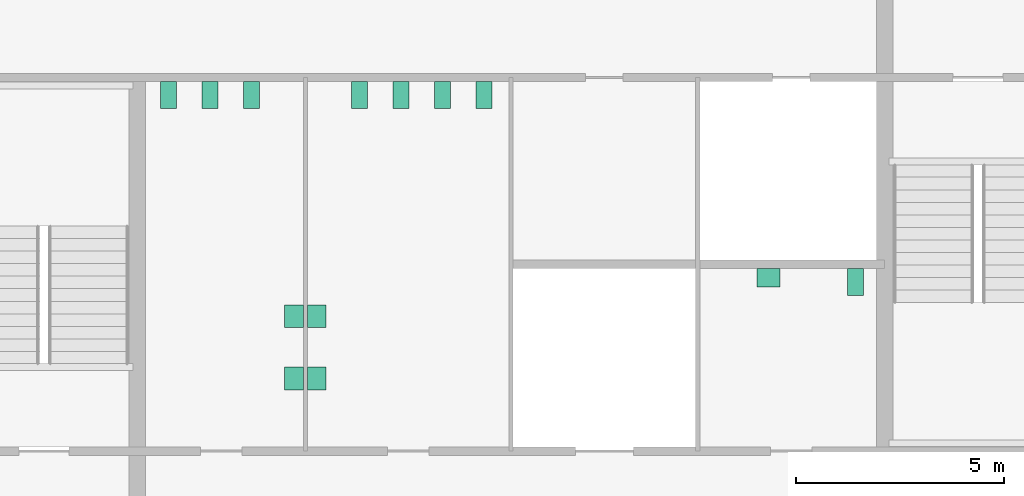
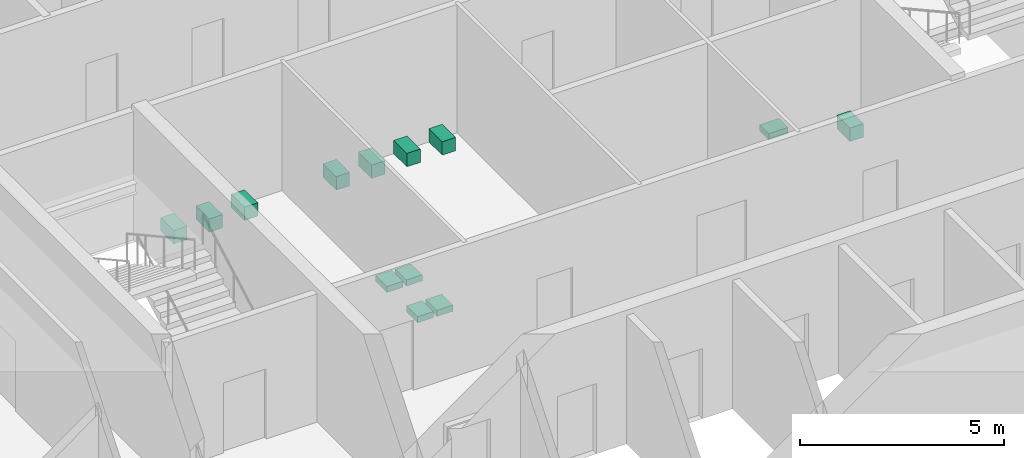
# One storey, part 13 of 13: 13 sanitary terminals.
"""IFC4 building model written with IfcOpenShell, lengths in metres."""

import ifcopenshell
import ifcopenshell.guid

model = None  # the IFC model being written
_history = None  # IfcOwnerHistory: only IFC2X3 demands one
_inside = {}  # id of a spatial element -> (the spatial element, [elements in it])
_under = {}  # id of a project, library or spatial element -> (it, [spatial elements below it])
_declared = {}  # id of a project -> (the project, [libraries it declares])
_typed = {}  # id of a type object -> (the type object, [elements of that type])
_made_of = {}  # id of a material, layer set ... -> (it, [elements and type objects made of it])


def new_model(schema):
    """Start an empty IFC model of exactly this schema.

    Asked for "IFC4X3", IfcOpenShell would pick the latest addendum, in which some entities
    have other attributes; the version numbers below select the first issue.
    IFC2X3 requires an IfcOwnerHistory on every rooted entity: one is made here for all.
    """
    global model, _history
    if schema == "IFC4X3":
        model = ifcopenshell.file(schema_version=(4, 3, 0, 0))
    else:
        model = ifcopenshell.file(schema=schema)
    _inside.clear()
    _under.clear()
    _declared.clear()
    _typed.clear()
    _made_of.clear()
    _history = None
    if model.schema == "IFC2X3":
        org = make("IfcOrganization", Name="unknown")
        user = make(
            "IfcPersonAndOrganization",
            ThePerson=make("IfcPerson", FamilyName="unknown"),
            TheOrganization=org,
        )
        app = make(
            "IfcApplication",
            ApplicationDeveloper=org,
            Version="unknown",
            ApplicationFullName="unknown",
            ApplicationIdentifier="unknown",
        )
        _history = make(
            "IfcOwnerHistory",
            OwningUser=user,
            OwningApplication=app,
            ChangeAction="ADDED",
            CreationDate=0,
        )
    return model


def make(cls, **values):
    """One entity of the class cls with the attributes given. An attribute that is None is left unset."""
    return model.create_entity(
        cls, **{name: value for name, value in values.items() if value is not None}
    )


def rooted(cls, **values):
    """An entity with a GlobalId (a new one), such as an element, a storey or a relation."""
    return make(cls, GlobalId=ifcopenshell.guid.new(), OwnerHistory=_history, **values)


def si_unit(unit_type, name, prefix=None):
    """IfcSIUnit, for example si_unit("LENGTHUNIT", "METRE", prefix="MILLI")."""
    return make("IfcSIUnit", UnitType=unit_type, Prefix=prefix, Name=name)


def assignment(units):
    """IfcUnitAssignment: the units of a project."""
    return None if units is None else make("IfcUnitAssignment", Units=units)


def point(xyz):
    """IfcCartesianPoint."""
    return None if xyz is None else make("IfcCartesianPoint", Coordinates=xyz)


def direction(xyz):
    """IfcDirection."""
    return None if xyz is None else make("IfcDirection", DirectionRatios=xyz)


def frame(location, z_axis=None, x_axis=None):
    """IfcAxis2Placement3D, a coordinate frame: its origin and axes. An axis left out is left unset."""
    return make(
        "IfcAxis2Placement3D",
        Location=point(location),
        Axis=direction(z_axis),
        RefDirection=direction(x_axis),
    )


def frame_2d(location, x_axis=None):
    """IfcAxis2Placement2D, a coordinate frame in the plane: its origin and x axis."""
    return make(
        "IfcAxis2Placement2D", Location=point(location), RefDirection=direction(x_axis)
    )


def origin():
    """The frame at (0, 0, 0) with its axes left unset."""
    return frame((0.0, 0.0, 0.0))


def origin_2d():
    """The frame at (0, 0) in the plane with its x axis left unset."""
    return frame_2d((0.0, 0.0))


def place(relative_to, where):
    """IfcLocalPlacement: puts the frame where relative to a parent placement (None: the world)."""
    return make(
        "IfcLocalPlacement", PlacementRelTo=relative_to, RelativePlacement=where
    )


def context(
    kind, dimensions, precision=None, world=None, true_north=None, identifier=None
):
    """IfcGeometricRepresentationContext, for example the 3D "Model" context."""
    return make(
        "IfcGeometricRepresentationContext",
        ContextIdentifier=identifier,
        ContextType=kind,
        CoordinateSpaceDimension=dimensions,
        Precision=precision,
        WorldCoordinateSystem=world,
        TrueNorth=true_north,
    )


def subcontext(parent, identifier, kind, view, scale=None):
    """IfcGeometricRepresentationSubContext, for example "Body" below "Model"."""
    return make(
        "IfcGeometricRepresentationSubContext",
        ContextIdentifier=identifier,
        ContextType=kind,
        ParentContext=parent,
        TargetScale=scale,
        TargetView=view,
    )


def project(units=None, contexts=None):
    """IfcProject with its units and contexts."""
    return rooted(
        "IfcProject",
        Name="project",
        RepresentationContexts=contexts,
        UnitsInContext=assignment(units),
    )


def spatial(cls, under=None, at=None, **own):
    """A site, building, storey or space (cls), placed at a placement, below another one or the project."""
    s = rooted(cls, ObjectPlacement=at, **own)
    if under is not None:
        _under.setdefault(under.id(), (under, []))[1].append(s)
    return s


def profile(cls, at=None, kind="AREA", **sizes):
    """A parametric profile (cls). Its sizes go by their IFC names, for example OverallWidth=200.0."""
    return make(cls, ProfileType=kind, Position=at, **sizes)


def rectangle(**sizes):
    """IfcRectangleProfileDef."""
    return profile("IfcRectangleProfileDef", **sizes)


def extrude(swept, where, along, depth):
    """IfcExtrudedAreaSolid: the profile swept, set in the frame where, extruded along a direction by depth."""
    return make(
        "IfcExtrudedAreaSolid",
        SweptArea=swept,
        Position=where,
        ExtrudedDirection=direction(along),
        Depth=depth,
    )


def shape(context_of_items, identifier, shape_type, items):
    """IfcShapeRepresentation: the items that make up one representation, for example the "Body"."""
    return make(
        "IfcShapeRepresentation",
        ContextOfItems=context_of_items,
        RepresentationIdentifier=identifier,
        RepresentationType=shape_type,
        Items=items,
    )


def material(Name=None, Category=None):
    """IfcMaterial."""
    return make("IfcMaterial", Name=Name, Category=Category)


def made_of(thing, what):
    """Note that an element or type object is made of a material, layer set ...; save() writes the relation."""
    if what is not None:
        _made_of.setdefault(what.id(), (what, []))[1].append(thing)
    return thing


def type_object(cls, material=None, **own):
    """A type object (cls), such as IfcWallType, which elements share."""
    return made_of(rooted(cls, **own), material)


def element(
    cls,
    number,
    at=None,
    inside=None,
    cuts=None,
    type_object=None,
    material=None,
    context=None,
    identifier="Body",
    shape_type=None,
    held_by="IfcProductDefinitionShape",
    body=None,
    shapes=None,
    **own,
):
    """One element of the class cls, such as IfcWall. Its Tag is "e" and its number.

    at: its placement. inside: the storey or other place that contains it. cuts: it is an
    opening in that element (IfcRelVoidsElement). A single representation is given by context,
    identifier, shape_type and body (its items); several are given by shapes. held_by: the class
    of the entity that holds the representations. save() writes the other relations.
    """
    e = rooted(cls, Tag="e%d" % number, ObjectPlacement=at, **own)
    if body is not None:
        shapes = [shape(context, identifier, shape_type, body)]
    if shapes is not None:
        e.Representation = make(held_by, Representations=shapes)
    if inside is not None:
        _inside.setdefault(inside.id(), (inside, []))[1].append(e)
    if cuts is not None:
        rooted(
            "IfcRelVoidsElement", RelatingBuildingElement=cuts, RelatedOpeningElement=e
        )
    if type_object is not None:
        _typed.setdefault(type_object.id(), (type_object, []))[1].append(e)
    return made_of(e, material)


def aggregate(whole, parts):
    """IfcRelAggregates: a whole, such as a stair, and the parts it consists of."""
    return rooted("IfcRelAggregates", RelatingObject=whole, RelatedObjects=parts)


def save(model, path):
    """Write the relations noted so far, then the file.

    IfcRelAggregates (storeys below a building ...), IfcRelContainedInSpatialStructure (elements
    in a storey), IfcRelDefinesByType, IfcRelAssociatesMaterial and IfcRelDeclares: one each for
    every whole, place, type object, material and project.
    """
    for whole, parts in _under.values():
        aggregate(whole, parts)
    for where, things in _inside.values():
        rooted(
            "IfcRelContainedInSpatialStructure",
            RelatedElements=things,
            RelatingStructure=where,
        )
    for kind, things in _typed.values():
        rooted("IfcRelDefinesByType", RelatedObjects=things, RelatingType=kind)
    for what, things in _made_of.values():
        rooted("IfcRelAssociatesMaterial", RelatedObjects=things, RelatingMaterial=what)
    for by, libraries in _declared.values():
        rooted("IfcRelDeclares", RelatingContext=by, RelatedDefinitions=libraries)
    model.write(path)


model = new_model("IFC4")

# Units and contexts
model_context = context("Model", 3, precision=1e-05, world=origin(), true_north=direction((0.0, 1.0)))
body_context = subcontext(model_context, "Body", "Model", "MODEL_VIEW")
ifc_project = project(units=[si_unit("LENGTHUNIT", "METRE"), si_unit("AREAUNIT", "SQUARE_METRE"), si_unit("VOLUMEUNIT", "CUBIC_METRE"), si_unit("PLANEANGLEUNIT", "RADIAN"), si_unit("MASSUNIT", "GRAM", prefix="KILO")], contexts=[model_context])

# Site, building, storey
site_placement = place(None, origin())
site = spatial("IfcSite", under=ifc_project, at=site_placement, CompositionType="ELEMENT")
building_placement = place(site_placement, origin())
building = spatial("IfcBuilding", under=site, at=building_placement, Name="Corais Broadcast Tower", CompositionType="ELEMENT")
storey_placement = place(building_placement, frame((0.0, 0.0, 210.60009765625)))
storey = spatial("IfcBuildingStorey", under=building, at=storey_placement, Name="L48", CompositionType="ELEMENT", Elevation=210.60009765625)

# Sanitary terminals
ifc_material_1 = material(Name="Vitreous china", Category="ceramic")
sanitary_terminal_type_1 = type_object("IfcSanitaryTerminalType", Name="WC pan 380x650", PredefinedType="TOILETPAN", material=ifc_material_1)
for number, where, z_axis, x_axis, name in (
    (1, (18.75, 31.074951171875, 0.0), (0.0, 0.0, 1.0), (1.0, 0.0, 0.0), "SW1 WC pan, male toilets L48"),
    (2, (19.75, 31.074951171875, 0.0), (0.0, 0.0, 1.0), (1.0, 0.0, 0.0), "SW1 WC pan, male toilets L48"),
    (3, (20.75, 31.074951171875, 0.0), (0.0, 0.0, 1.0), (1.0, 0.0, 0.0), "SW1 WC pan, male toilets L48"),
    (4, (23.35009765625, 31.074951171875, 0.0), (0.0, 0.0, 1.0), (1.0, 0.0, 0.0), "SW1 WC pan, female toilets L48"),
    (5, (24.35009765625, 31.074951171875, 0.0), (0.0, 0.0, 1.0), (1.0, 0.0, 0.0), "SW1 WC pan, female toilets L48"),
    (6, (25.35009765625, 31.074951171875, 0.0), (0.0, 0.0, 1.0), (1.0, 0.0, 0.0), "SW1 WC pan, female toilets L48"),
    (7, (26.35009765625, 31.074951171875, 0.0), (0.0, 0.0, 1.0), (1.0, 0.0, 0.0), "SW1 WC pan, female toilets L48"),
    (8, (35.300048828125, 26.574951171875, 0.0), (0.0, 0.0, 1.0), (1.0, 0.0, 0.0), "SW1 WC pan, accessible WC L48"),
):
    element("IfcSanitaryTerminal", number, at=place(storey_placement, frame(where, z_axis=z_axis, x_axis=x_axis)), inside=storey, type_object=sanitary_terminal_type_1, Name=name, PredefinedType="TOILETPAN", context=body_context, shape_type="SweptSolid", body=[
        extrude(rectangle(XDim=0.3798828125, YDim=0.64990234375, at=origin_2d()), origin(), (0.0, 0.0, 1.0), 0.39990234375),
    ])
ifc_material_2 = material(Name="Vitreous china", Category="ceramic")
sanitary_terminal_type_2 = type_object("IfcSanitaryTerminalType", Name="Wash basin 550x450", PredefinedType="WASHHANDBASIN", material=ifc_material_2)
for number, where, z_axis, x_axis, name in (
    (9, (21.77490234375, 24.25, 0.69970703125), (0.0, 0.0, 1.0), (1.0, 0.0, 0.0), "WB1 wash basin, male toilets L48"),
    (10, (21.77490234375, 25.75, 0.69970703125), (0.0, 0.0, 1.0), (1.0, 0.0, 0.0), "WB1 wash basin, male toilets L48"),
    (11, (22.324951171875, 24.25, 0.69970703125), (0.0, 0.0, 1.0), (1.0, 0.0, 0.0), "WB1 wash basin, female toilets L48"),
    (12, (22.324951171875, 25.75, 0.69970703125), (0.0, 0.0, 1.0), (1.0, 0.0, 0.0), "WB1 wash basin, female toilets L48"),
):
    element("IfcSanitaryTerminal", number, at=place(storey_placement, frame(where, z_axis=z_axis, x_axis=x_axis)), inside=storey, type_object=sanitary_terminal_type_2, Name=name, PredefinedType="WASHHANDBASIN", context=body_context, shape_type="SweptSolid", body=[
        extrude(rectangle(XDim=0.449951171875, YDim=0.550048828125, at=origin_2d()), origin(), (0.0, 0.0, 1.0), 0.179931640625),
    ])
sanitary_terminal_placement = place(storey_placement, frame((33.199951171875, 26.675048828125, 0.69970703125), z_axis=(0.0, 0.0, 1.0), x_axis=(1.0, 0.0, 0.0)))
element("IfcSanitaryTerminal", 13, at=sanitary_terminal_placement, inside=storey, type_object=sanitary_terminal_type_2, Name="WB1 wash basin, accessible WC L48", PredefinedType="WASHHANDBASIN", context=body_context, shape_type="SweptSolid", body=[
    extrude(rectangle(XDim=0.550048828125, YDim=0.449951171875, at=origin_2d()), origin(), (0.0, 0.0, 1.0), 0.179931640625),
])

save(model, "model.ifc")
